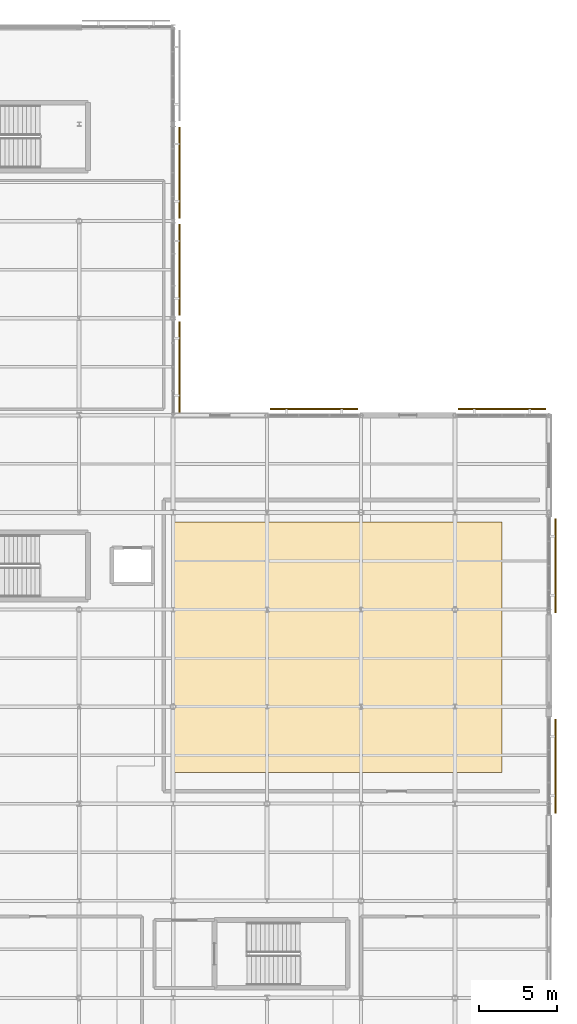
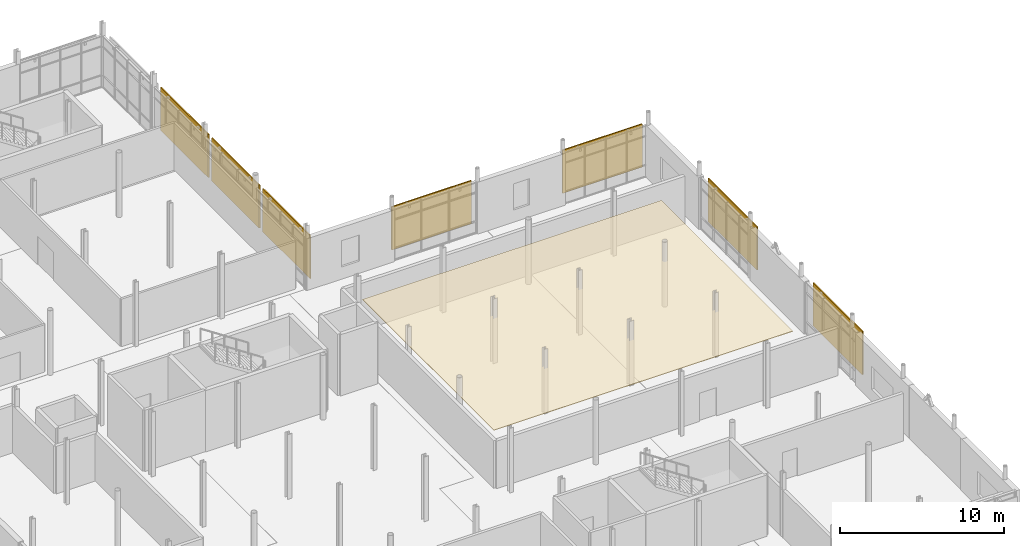
# One storey, part 83 of 84: 7 shading devices, 1 covering.
"""IFC4 building model written with IfcOpenShell, lengths in metres."""

from ifc_helpers import new_model, si_unit, direction, frame, origin, origin_2d, place, context, subcontext, project, spatial, polyline, rectangle, outline, extrude, material, layer, layer_set, type_object, element, save


model = new_model("IFC4")

# Units and contexts
model_context = context("Model", 3, precision=1e-05, world=origin(), true_north=direction((0.0, 1.0)))
body_context = subcontext(model_context, "Body", "Model", "MODEL_VIEW")
ifc_project = project(units=[si_unit("LENGTHUNIT", "METRE"), si_unit("AREAUNIT", "SQUARE_METRE"), si_unit("VOLUMEUNIT", "CUBIC_METRE"), si_unit("PLANEANGLEUNIT", "RADIAN"), si_unit("MASSUNIT", "GRAM", prefix="KILO")], contexts=[model_context])

# Site, building, storey
site_placement = place(None, origin())
site = spatial("IfcSite", under=ifc_project, at=site_placement, CompositionType="ELEMENT")
building_placement = place(site_placement, origin())
building = spatial("IfcBuilding", under=site, at=building_placement, Name="Mirzam Square Science Centre", CompositionType="ELEMENT")
storey_placement = place(building_placement, frame((0.0, 0.0, 10.800048828125)))
storey = spatial("IfcBuildingStorey", under=building, at=storey_placement, Name="L02", CompositionType="ELEMENT", Elevation=10.800048828125)

# Covering
ifc_material_1 = material(Name="Perforated Mineral-Wool Acoustic Ceiling", Category="gypsum")
ifc_layer_1 = layer(ifc_material_1, 0.0400390625)
ifc_layer_set_1 = layer_set([ifc_layer_1], Name="COV-ACOUST-CEIL")
covering_type = type_object("IfcCoveringType", Name="COV-ACOUST-CEIL", PredefinedType="CEILING", material=ifc_layer_set_1)
covering_placement = place(storey_placement, frame((0.0, 0.0, 3.31005859375)))
element("IfcCovering", 1, at=covering_placement, inside=storey, type_object=covering_type, Name="L02 acoustic ceiling 05", PredefinedType="CEILING", context=body_context, shape_type="SweptSolid", body=[
    extrude(outline(polyline([(138.0, 64.0), (159.0, 64.0), (159.0, 80.0), (138.0, 80.0), (138.0, 64.0)])), origin(), (0.0, 0.0, 1.0), 0.039794921875),
])

# Shading devices
ifc_material_2 = material(Name="Perforated Bronze-Anodised Aluminium Brise-Soleil", Category="aluminium")
ifc_layer_2 = layer(ifc_material_2, 0.080078125)
ifc_layer_set_2 = layer_set([ifc_layer_2], Name="SHD-BRISE-BRONZE")
shading_device_type = type_object("IfcShadingDeviceType", Name="SHD-BRISE-BRONZE", PredefinedType="JALOUSIE", material=ifc_layer_set_2)
for number, where, z_axis, x_axis, name in (
    (2, (162.409912109375, 64.39990234375, 0.48974609375), (0.0, 0.0, 1.0), (0.0, 1.0, 0.0), "L02 bronze brise-soleil screen 95"),
    (3, (162.409912109375, 77.199951171875, 0.48974609375), (0.0, 0.0, 1.0), (0.0, 1.0, 0.0), "L02 bronze brise-soleil screen 96"),
):
    element("IfcShadingDevice", number, at=place(storey_placement, frame(where, z_axis=z_axis, x_axis=x_axis)), inside=storey, type_object=shading_device_type, Name=name, PredefinedType="JALOUSIE", context=body_context, shape_type="SweptSolid", body=[
        extrude(rectangle(XDim=5.989990234375, YDim=0.080078125, at=origin_2d()), origin(), (0.0, 0.0, 1.0), 3.199951171875),
    ])
for number, where, z_axis, x_axis, name in (
    (4, (159.0, 87.2099609375, 0.48974609375), (0.0, 0.0, 1.0), (-1.0, 0.0, 0.0), "L02 bronze brise-soleil screen 97"),
    (5, (147.0, 87.2099609375, 0.48974609375), (0.0, 0.0, 1.0), (-1.0, 0.0, 0.0), "L02 bronze brise-soleil screen 98"),
):
    element("IfcShadingDevice", number, at=place(storey_placement, frame(where, z_axis=z_axis, x_axis=x_axis)), inside=storey, type_object=shading_device_type, Name=name, PredefinedType="JALOUSIE", context=body_context, shape_type="SweptSolid", body=[
        extrude(rectangle(XDim=5.590087890625, YDim=0.080078125, at=origin_2d()), origin(), (0.0, 0.0, 1.0), 3.199951171875),
    ])
for number, where, z_axis, x_axis, name in (
    (6, (138.409912109375, 89.89990234375, 0.48974609375), (0.0, 0.0, 1.0), (0.0, 1.0, 0.0), "L02 bronze brise-soleil screen 106"),
    (7, (138.409912109375, 96.10009765625, 0.48974609375), (0.0, 0.0, 1.0), (0.0, 1.0, 0.0), "L02 bronze brise-soleil screen 108"),
    (8, (138.409912109375, 102.300048828125, 0.48974609375), (0.0, 0.0, 1.0), (0.0, 1.0, 0.0), "L02 bronze brise-soleil screen 110"),
):
    element("IfcShadingDevice", number, at=place(storey_placement, frame(where, z_axis=z_axis, x_axis=x_axis)), inside=storey, type_object=shading_device_type, Name=name, PredefinedType="JALOUSIE", context=body_context, shape_type="SweptSolid", body=[
        extrude(rectangle(XDim=5.7900390625, YDim=0.080078125, at=origin_2d()), origin(), (0.0, 0.0, 1.0), 3.199951171875),
    ])

save(model, "model.ifc")
